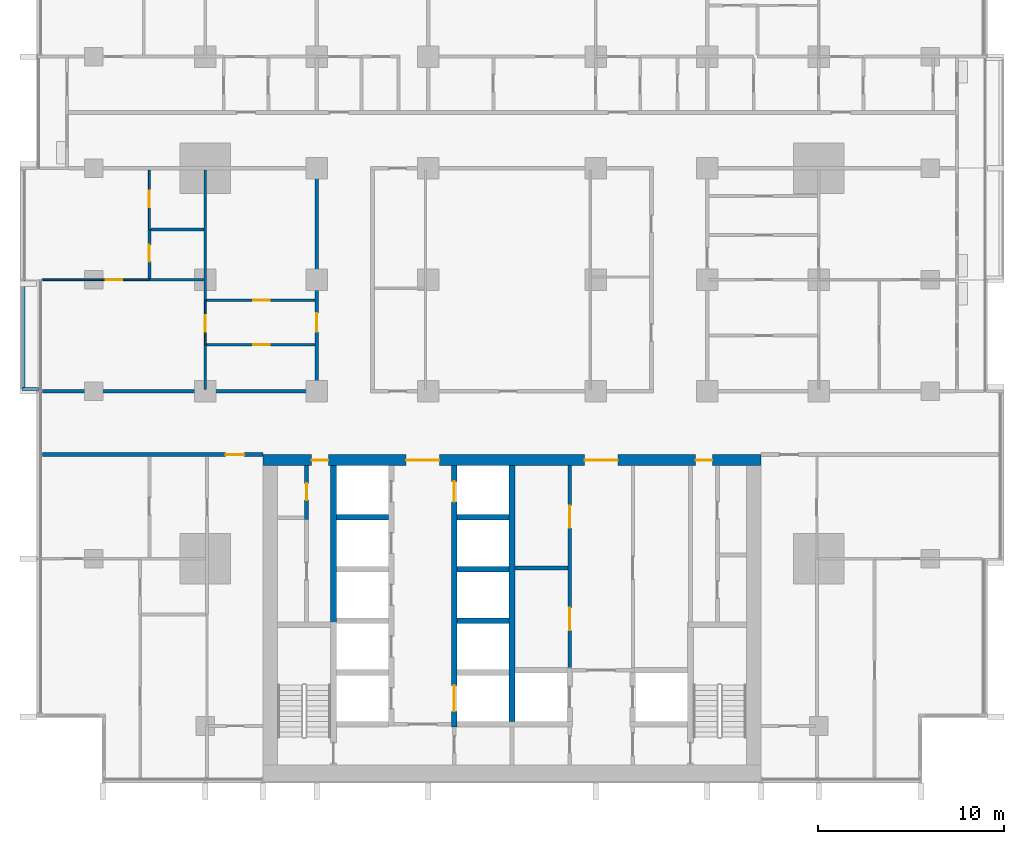
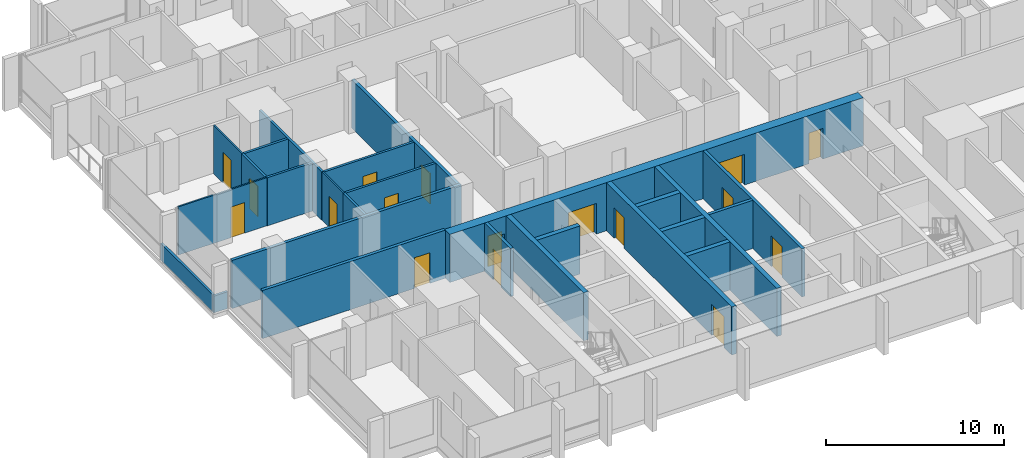
# One storey, part 8 of 18: 26 walls, 17 doors, 17 openings.
"""IFC4 building model written with IfcOpenShell, lengths in metres."""

from ifc_helpers import new_model, si_unit, direction, frame, frame_2d, origin, place, context, subcontext, project, spatial, rectangle, extrude, material, layer, layer_set, type_object, element, fill, save


model = new_model("IFC4")

# Units and contexts
model_context = context("Model", 3, precision=1e-05, world=origin(), true_north=direction((0.0, 1.0)))
body_context = subcontext(model_context, "Body", "Model", "MODEL_VIEW")
ifc_project = project(units=[si_unit("LENGTHUNIT", "METRE"), si_unit("AREAUNIT", "SQUARE_METRE"), si_unit("VOLUMEUNIT", "CUBIC_METRE"), si_unit("PLANEANGLEUNIT", "RADIAN"), si_unit("MASSUNIT", "GRAM", prefix="KILO")], contexts=[model_context])

# Site, building, storey
site_placement = place(None, origin())
site = spatial("IfcSite", under=ifc_project, at=site_placement, CompositionType="ELEMENT")
building_placement = place(site_placement, origin())
building = spatial("IfcBuilding", under=site, at=building_placement, Name="Finial Court Residences", CompositionType="ELEMENT")
storey_placement = place(building_placement, frame((0.0, 0.0, 109.89990234375)))
storey = spatial("IfcBuildingStorey", under=building, at=storey_placement, Name="L27", CompositionType="ELEMENT", Elevation=109.89990234375)

# Wall, openings, doors
ifc_material_1 = material(Name="Concrete C70/85", Category="concrete")
ifc_layer_1 = layer(ifc_material_1, 0.60009765625)
ifc_layer_set_1 = layer_set([ifc_layer_1], Name="Core outer wall 600 Concrete C70/85")
wall_type_1 = type_object("IfcWallType", Name="Core outer wall 600 Concrete C70/85", PredefinedType="SHEAR", material=ifc_layer_set_1)
wall_1_placement = place(storey_placement, frame((-13.39990234375, -8.199951171875, 0.0), z_axis=(0.0, 0.0, 1.0), x_axis=(1.0, 0.0, 0.0)))
wall_1 = element("IfcWall", 1, at=wall_1_placement, inside=storey, type_object=wall_type_1, Name="Core outer wall L27-02", PredefinedType="SHEAR", context=body_context, shape_type="SweptSolid", body=[
    extrude(rectangle(XDim=26.7998046875, YDim=0.60009765625, at=frame_2d((13.39990234375, 0.0))), origin(), (0.0, 0.0, 1.0), 3.300048828125),
])
opening_1_placement = place(wall_1_placement, frame((7.699951171875, 0.0, 0.0)))
opening_1 = element("IfcOpeningElement", 2, at=opening_1_placement, cuts=wall_1, Name="Opening L27-C04", PredefinedType="OPENING", context=body_context, shape_type="SweptSolid", body=[
    extrude(rectangle(XDim=1.800048828125, YDim=2.10009765625, at=frame_2d((0.89990234375, 1.050048828125))), frame((0.0, 0.31005859375, 0.0), z_axis=(0.0, -1.0, 0.0), x_axis=(1.0, 0.0, 0.0)), (0.0, 0.0, 1.0), 0.6201171875),
])
opening_2_placement = place(wall_1_placement, frame((17.300048828125, 0.0, 0.0)))
opening_2 = element("IfcOpeningElement", 3, at=opening_2_placement, cuts=wall_1, Name="Opening L27-C05", PredefinedType="OPENING", context=body_context, shape_type="SweptSolid", body=[
    extrude(rectangle(XDim=1.800048828125, YDim=2.10009765625, at=frame_2d((0.89990234375, 1.050048828125))), frame((0.0, 0.31005859375, 0.0), z_axis=(0.0, -1.0, 0.0), x_axis=(1.0, 0.0, 0.0)), (0.0, 0.0, 1.0), 0.6201171875),
])
opening_3_placement = place(wall_1_placement, frame((2.625, 0.0, 0.0)))
opening_3 = element("IfcOpeningElement", 4, at=opening_3_placement, cuts=wall_1, Name="Opening L27-C11", PredefinedType="OPENING", context=body_context, shape_type="SweptSolid", body=[
    extrude(rectangle(XDim=0.89990234375, YDim=2.10009765625, at=frame_2d((0.449951171875, 1.050048828125))), frame((0.0, 0.31005859375, 0.0), z_axis=(0.0, -1.0, 0.0), x_axis=(1.0, 0.0, 0.0)), (0.0, 0.0, 1.0), 0.6201171875),
])
opening_4_placement = place(wall_1_placement, frame((23.27490234375, 0.0, 0.0)))
opening_4 = element("IfcOpeningElement", 5, at=opening_4_placement, cuts=wall_1, Name="Opening L27-C12", PredefinedType="OPENING", context=body_context, shape_type="SweptSolid", body=[
    extrude(rectangle(XDim=0.89990234375, YDim=2.10009765625, at=frame_2d((0.449951171875, 1.050048828125))), frame((0.0, 0.31005859375, 0.0), z_axis=(0.0, -1.0, 0.0), x_axis=(1.0, 0.0, 0.0)), (0.0, 0.0, 1.0), 0.6201171875),
])
ifc_material_2 = material(Name="Steel fire door", Category="steel")
door_type_1 = type_object("IfcDoorType", Name="Lift lobby door 1800 x 2100 EI 60", OperationType="DOUBLE_DOOR_SINGLE_SWING", PredefinedType="DOOR", material=ifc_material_2)
door_1_placement = place(opening_1_placement, origin())
door_1 = element("IfcDoor", 6, at=door_1_placement, inside=storey, type_object=door_type_1, Name="Lift lobby door L27-C04", OperationType="DOUBLE_DOOR_SINGLE_SWING", OverallHeight=2.10009765625, OverallWidth=1.800048828125, PredefinedType="DOOR", context=body_context, shape_type="SweptSolid", body=[
    extrude(rectangle(XDim=1.800048828125, YDim=2.10009765625, at=frame_2d((0.89990234375, 1.050048828125))), frame((0.0, 0.02490234375, 0.0), z_axis=(0.0, -1.0, 0.0), x_axis=(1.0, 0.0, 0.0)), (0.0, 0.0, 1.0), 0.050048828125),
])
fill(opening_1, door_1)
door_2_placement = place(opening_2_placement, origin())
door_2 = element("IfcDoor", 7, at=door_2_placement, inside=storey, type_object=door_type_1, Name="Lift lobby door L27-C05", OperationType="DOUBLE_DOOR_SINGLE_SWING", OverallHeight=2.10009765625, OverallWidth=1.800048828125, PredefinedType="DOOR", context=body_context, shape_type="SweptSolid", body=[
    extrude(rectangle(XDim=1.800048828125, YDim=2.10009765625, at=frame_2d((0.89990234375, 1.050048828125))), frame((0.0, 0.02490234375, 0.0), z_axis=(0.0, -1.0, 0.0), x_axis=(1.0, 0.0, 0.0)), (0.0, 0.0, 1.0), 0.050048828125),
])
fill(opening_2, door_2)
door_type_2 = type_object("IfcDoorType", Name="Riser room door 900 x 2100 EI 90", OperationType="NOTDEFINED", PredefinedType="DOOR", material=ifc_material_2)
door_3_placement = place(opening_3_placement, origin())
door_3 = element("IfcDoor", 8, at=door_3_placement, inside=storey, type_object=door_type_2, Name="Riser room door L27-C11", OperationType="SINGLE_SWING_RIGHT", OverallHeight=2.10009765625, OverallWidth=0.89990234375, PredefinedType="DOOR", context=body_context, shape_type="SweptSolid", body=[
    extrude(rectangle(XDim=0.89990234375, YDim=2.10009765625, at=frame_2d((0.449951171875, 1.050048828125))), frame((0.0, 0.02490234375, 0.0), z_axis=(0.0, -1.0, 0.0), x_axis=(1.0, 0.0, 0.0)), (0.0, 0.0, 1.0), 0.050048828125),
])
fill(opening_3, door_3)
door_4_placement = place(opening_4_placement, origin())
door_4 = element("IfcDoor", 9, at=door_4_placement, inside=storey, type_object=door_type_2, Name="Riser room door L27-C12", OperationType="SINGLE_SWING_LEFT", OverallHeight=2.10009765625, OverallWidth=0.89990234375, PredefinedType="DOOR", context=body_context, shape_type="SweptSolid", body=[
    extrude(rectangle(XDim=0.89990234375, YDim=2.10009765625, at=frame_2d((0.449951171875, 1.050048828125))), frame((0.0, 0.02490234375, 0.0), z_axis=(0.0, -1.0, 0.0), x_axis=(1.0, 0.0, 0.0)), (0.0, 0.0, 1.0), 0.050048828125),
])
fill(opening_4, door_4)

# Wall, opening, door
ifc_material_3 = material(Name="Gypsum board")
ifc_layer_2 = layer(ifc_material_3, 0.02490234375)
ifc_material_4 = material(Name="Acoustic mineral wool in double frame")
ifc_layer_3 = layer(ifc_material_4, 0.14990234375)
ifc_layer_4 = layer(ifc_material_3, 0.02490234375)
ifc_layer_set_2 = layer_set([ifc_layer_2, ifc_layer_3, ifc_layer_4], Name="Corridor wall 200, 1 hour")
wall_type_2 = type_object("IfcWallType", Name="Corridor wall 200, 1 hour", PredefinedType="PARTITIONING", material=ifc_layer_set_2)
wall_2_placement = place(storey_placement, frame((-25.25, -7.89990234375, 0.0), z_axis=(0.0, 0.0, 1.0), x_axis=(1.0, 0.0, 0.0)))
wall_2 = element("IfcWall", 10, at=wall_2_placement, inside=storey, type_object=wall_type_2, Name="Partition L27-007", PredefinedType="PARTITIONING", context=body_context, shape_type="SweptSolid", body=[
    extrude(rectangle(XDim=11.85009765625, YDim=0.199951171875, at=frame_2d((5.925048828125, 0.0))), origin(), (0.0, 0.0, 1.0), 3.300048828125),
])
opening_5_placement = place(wall_2_placement, frame((9.85009765625, 0.0, 0.0)))
opening_5 = element("IfcOpeningElement", 11, at=opening_5_placement, cuts=wall_2, Name="Opening L27-D005", PredefinedType="OPENING", context=body_context, shape_type="SweptSolid", body=[
    extrude(rectangle(XDim=1.0, YDim=2.10009765625, at=frame_2d((0.5, 1.050048828125))), frame((0.0, 0.10986328125, 0.0), z_axis=(0.0, -1.0, 0.0), x_axis=(1.0, 0.0, 0.0)), (0.0, 0.0, 1.0), 0.219970703125),
])
ifc_material_5 = material(Name="Timber door leaf in hollow metal frame", Category="wood")
door_type_3 = type_object("IfcDoorType", Name="Fire door set 1000 x 2100, 30 minutes", OperationType="SINGLE_SWING_LEFT", PredefinedType="DOOR", material=ifc_material_5)
door_5_placement = place(opening_5_placement, origin())
door_5 = element("IfcDoor", 12, at=door_5_placement, inside=storey, type_object=door_type_3, Name="Door L27-D005", OperationType="SINGLE_SWING_RIGHT", OverallHeight=2.10009765625, OverallWidth=1.0, PredefinedType="DOOR", context=body_context, shape_type="SweptSolid", body=[
    extrude(rectangle(XDim=1.0, YDim=2.10009765625, at=frame_2d((0.5, 1.050048828125))), frame((0.0, 0.02490234375, 0.0), z_axis=(0.0, -1.0, 0.0), x_axis=(1.0, 0.0, 0.0)), (0.0, 0.0, 1.0), 0.050048828125),
])
fill(opening_5, door_5)

# Wall
wall_3_placement = place(storey_placement, frame((-25.25, -4.5, 0.0), z_axis=(0.0, 0.0, 1.0), x_axis=(1.0, 0.0, 0.0)))
element("IfcWall", 13, at=wall_3_placement, inside=storey, type_object=wall_type_2, Name="Partition L27-009", PredefinedType="PARTITIONING", context=body_context, shape_type="SweptSolid", body=[
    extrude(rectangle(XDim=14.85009765625, YDim=0.199951171875, at=frame_2d((7.425048828125, 0.0))), origin(), (0.0, 0.0, 1.0), 3.300048828125),
])

# Wall, opening, door
wall_4_placement = place(storey_placement, frame((-10.5, -4.39990234375, 0.0), z_axis=(0.0, 0.0, 1.0), x_axis=(0.0, 1.0, 0.0)))
wall_4 = element("IfcWall", 14, at=wall_4_placement, inside=storey, type_object=wall_type_2, Name="Partition L27-060", PredefinedType="PARTITIONING", context=body_context, shape_type="SweptSolid", body=[
    extrude(rectangle(XDim=11.7998046875, YDim=0.199951171875, at=frame_2d((5.89990234375, 0.0))), origin(), (0.0, 0.0, 1.0), 3.300048828125),
])
opening_6_placement = place(wall_4_placement, frame((3.10009765625, 0.0, 0.0)))
opening_6 = element("IfcOpeningElement", 15, at=opening_6_placement, cuts=wall_4, Name="Opening L27-D043", PredefinedType="OPENING", context=body_context, shape_type="SweptSolid", body=[
    extrude(rectangle(XDim=1.0, YDim=2.10009765625, at=frame_2d((0.5, 1.050048828125))), frame((0.0, 0.10986328125, 0.0), z_axis=(0.0, -1.0, 0.0), x_axis=(1.0, 0.0, 0.0)), (0.0, 0.0, 1.0), 0.219970703125),
])
door_6_placement = place(opening_6_placement, origin())
door_6 = element("IfcDoor", 16, at=door_6_placement, inside=storey, type_object=door_type_3, Name="Door L27-D043", OperationType="SINGLE_SWING_RIGHT", OverallHeight=2.10009765625, OverallWidth=1.0, PredefinedType="DOOR", context=body_context, shape_type="SweptSolid", body=[
    extrude(rectangle(XDim=1.0, YDim=2.10009765625, at=frame_2d((0.5, 1.050048828125))), frame((0.0, 0.02490234375, 0.0), z_axis=(0.0, -1.0, 0.0), x_axis=(1.0, 0.0, 0.0)), (0.0, 0.0, 1.0), 0.050048828125),
])
fill(opening_6, door_6)

ifc_layer_5 = layer(ifc_material_3, 0.012451171875)
ifc_material_6 = material(Name="Mineral wool in light-gauge frame")
ifc_layer_6 = layer(ifc_material_6, 0.074951171875)
ifc_layer_7 = layer(ifc_material_3, 0.012451171875)
ifc_layer_set_3 = layer_set([ifc_layer_5, ifc_layer_6, ifc_layer_7], Name="Gypsum board partition 100")
wall_type_3 = type_object("IfcWallType", Name="Gypsum board partition 100", PredefinedType="PARTITIONING", material=ifc_layer_set_3)
wall_5_placement = place(storey_placement, frame((-25.25, 1.5, 0.0), z_axis=(0.0, 0.0, 1.0), x_axis=(1.0, 0.0, 0.0)))
wall_5 = element("IfcWall", 17, at=wall_5_placement, inside=storey, type_object=wall_type_3, Name="Partition L27-016", PredefinedType="PARTITIONING", context=body_context, shape_type="SweptSolid", body=[
    extrude(rectangle(XDim=5.75, YDim=0.10009765625, at=frame_2d((2.875, 0.0))), origin(), (0.0, 0.0, 1.0), 3.300048828125),
])
opening_7_placement = place(wall_5_placement, frame((3.39990234375, 0.0, 0.0)))
opening_7 = element("IfcOpeningElement", 18, at=opening_7_placement, cuts=wall_5, Name="Opening L27-D012", PredefinedType="OPENING", context=body_context, shape_type="SweptSolid", body=[
    extrude(rectangle(XDim=0.89990234375, YDim=2.10009765625, at=frame_2d((0.449951171875, 1.050048828125))), frame((0.0, 0.06005859375, 0.0), z_axis=(0.0, -1.0, 0.0), x_axis=(1.0, 0.0, 0.0)), (0.0, 0.0, 1.0), 0.1201171875),
])
ifc_material_7 = material(Name="Timber door leaf in timber frame", Category="wood")
door_type_4 = type_object("IfcDoorType", Name="Door set 900 x 2100", OperationType="SINGLE_SWING_LEFT", PredefinedType="DOOR", material=ifc_material_7)
door_7_placement = place(opening_7_placement, origin())
door_7 = element("IfcDoor", 19, at=door_7_placement, inside=storey, type_object=door_type_4, Name="Door L27-D012", OperationType="SINGLE_SWING_LEFT", OverallHeight=2.10009765625, OverallWidth=0.89990234375, PredefinedType="DOOR", context=body_context, shape_type="SweptSolid", body=[
    extrude(rectangle(XDim=0.89990234375, YDim=2.10009765625, at=frame_2d((0.449951171875, 1.050048828125))), frame((0.0, 0.02490234375, 0.0), z_axis=(0.0, -1.0, 0.0), x_axis=(1.0, 0.0, 0.0)), (0.0, 0.0, 1.0), 0.050048828125),
])
fill(opening_7, door_7)

wall_6_placement = place(storey_placement, frame((-19.5, 4.199951171875, 0.0), z_axis=(0.0, 0.0, 1.0), x_axis=(0.0, 1.0, 0.0)))
wall_6 = element("IfcWall", 20, at=wall_6_placement, inside=storey, type_object=wall_type_3, Name="Partition L27-047", PredefinedType="PARTITIONING", context=body_context, shape_type="SweptSolid", body=[
    extrude(rectangle(XDim=3.199951171875, YDim=0.10009765625, at=frame_2d((1.60009765625, 0.0))), origin(), (0.0, 0.0, 1.0), 3.300048828125),
])
opening_8_placement = place(wall_6_placement, frame((1.199951171875, 0.0, 0.0)))
opening_8 = element("IfcOpeningElement", 21, at=opening_8_placement, cuts=wall_6, Name="Opening L27-D036", PredefinedType="OPENING", context=body_context, shape_type="SweptSolid", body=[
    extrude(rectangle(XDim=0.89990234375, YDim=2.10009765625, at=frame_2d((0.449951171875, 1.050048828125))), frame((0.0, 0.06005859375, 0.0), z_axis=(0.0, -1.0, 0.0), x_axis=(1.0, 0.0, 0.0)), (0.0, 0.0, 1.0), 0.1201171875),
])
door_8_placement = place(opening_8_placement, origin())
door_8 = element("IfcDoor", 22, at=door_8_placement, inside=storey, type_object=door_type_4, Name="Door L27-D036", OperationType="SINGLE_SWING_LEFT", OverallHeight=2.10009765625, OverallWidth=0.89990234375, PredefinedType="DOOR", context=body_context, shape_type="SweptSolid", body=[
    extrude(rectangle(XDim=0.89990234375, YDim=2.10009765625, at=frame_2d((0.449951171875, 1.050048828125))), frame((0.0, 0.02490234375, 0.0), z_axis=(0.0, -1.0, 0.0), x_axis=(1.0, 0.0, 0.0)), (0.0, 0.0, 1.0), 0.050048828125),
])
fill(opening_8, door_8)

wall_7_placement = place(storey_placement, frame((-16.5, -2.0, 0.0), z_axis=(0.0, 0.0, 1.0), x_axis=(0.0, 1.0, 0.0)))
wall_7 = element("IfcWall", 23, at=wall_7_placement, inside=storey, type_object=wall_type_3, Name="Partition L27-050", PredefinedType="PARTITIONING", context=body_context, shape_type="SweptSolid", body=[
    extrude(rectangle(XDim=2.39990234375, YDim=0.10009765625, at=frame_2d((1.199951171875, 0.0))), origin(), (0.0, 0.0, 1.0), 3.300048828125),
])
opening_9_placement = place(wall_7_placement, frame((0.699951171875, 0.0, 0.0)))
opening_9 = element("IfcOpeningElement", 24, at=opening_9_placement, cuts=wall_7, Name="Opening L27-D039", PredefinedType="OPENING", context=body_context, shape_type="SweptSolid", body=[
    extrude(rectangle(XDim=0.89990234375, YDim=2.10009765625, at=frame_2d((0.449951171875, 1.050048828125))), frame((0.0, 0.06005859375, 0.0), z_axis=(0.0, -1.0, 0.0), x_axis=(1.0, 0.0, 0.0)), (0.0, 0.0, 1.0), 0.1201171875),
])
door_9_placement = place(opening_9_placement, origin())
door_9 = element("IfcDoor", 25, at=door_9_placement, inside=storey, type_object=door_type_4, Name="Door L27-D039", OperationType="SINGLE_SWING_LEFT", OverallHeight=2.10009765625, OverallWidth=0.89990234375, PredefinedType="DOOR", context=body_context, shape_type="SweptSolid", body=[
    extrude(rectangle(XDim=0.89990234375, YDim=2.10009765625, at=frame_2d((0.449951171875, 1.050048828125))), frame((0.0, 0.02490234375, 0.0), z_axis=(0.0, -1.0, 0.0), x_axis=(1.0, 0.0, 0.0)), (0.0, 0.0, 1.0), 0.050048828125),
])
fill(opening_9, door_9)

ifc_material_8 = material(Name="Moisture-resistant gypsum board")
ifc_layer_8 = layer(ifc_material_8, 0.012451171875)
ifc_layer_9 = layer(ifc_material_6, 0.125)
ifc_layer_10 = layer(ifc_material_8, 0.012451171875)
ifc_layer_set_4 = layer_set([ifc_layer_8, ifc_layer_9, ifc_layer_10], Name="Gypsum board wet-area partition 150")
wall_type_4 = type_object("IfcWallType", Name="Gypsum board wet-area partition 150", PredefinedType="PARTITIONING", material=ifc_layer_set_4)
wall_8_placement = place(storey_placement, frame((-16.425048828125, -2.0, 0.0), z_axis=(0.0, 0.0, 1.0), x_axis=(1.0, 0.0, 0.0)))
wall_8 = element("IfcWall", 26, at=wall_8_placement, inside=storey, type_object=wall_type_4, Name="Partition L27-012", PredefinedType="PARTITIONING", context=body_context, shape_type="SweptSolid", body=[
    extrude(rectangle(XDim=5.824951171875, YDim=0.14990234375, at=frame_2d((2.91259765625, 0.0))), origin(), (0.0, 0.0, 1.0), 3.300048828125),
])
opening_10_placement = place(wall_8_placement, frame((2.5, 0.0, 0.0)))
opening_10 = element("IfcOpeningElement", 27, at=opening_10_placement, cuts=wall_8, Name="Opening L27-D009", PredefinedType="OPENING", context=body_context, shape_type="SweptSolid", body=[
    extrude(rectangle(XDim=0.89990234375, YDim=2.10009765625, at=frame_2d((0.449951171875, 1.050048828125))), frame((0.0, 0.0849609375, 0.0), z_axis=(0.0, -1.0, 0.0), x_axis=(1.0, 0.0, 0.0)), (0.0, 0.0, 1.0), 0.169921875),
])
door_10_placement = place(opening_10_placement, origin())
door_10 = element("IfcDoor", 28, at=door_10_placement, inside=storey, type_object=door_type_4, Name="Door L27-D009", OperationType="SINGLE_SWING_RIGHT", OverallHeight=2.10009765625, OverallWidth=0.89990234375, PredefinedType="DOOR", context=body_context, shape_type="SweptSolid", body=[
    extrude(rectangle(XDim=0.89990234375, YDim=2.10009765625, at=frame_2d((0.449951171875, 1.050048828125))), frame((0.0, 0.02490234375, 0.0), z_axis=(0.0, -1.0, 0.0), x_axis=(1.0, 0.0, 0.0)), (0.0, 0.0, 1.0), 0.050048828125),
])
fill(opening_10, door_10)

wall_9_placement = place(storey_placement, frame((-16.425048828125, 0.39990234375, 0.0), z_axis=(0.0, 0.0, 1.0), x_axis=(1.0, 0.0, 0.0)))
wall_9 = element("IfcWall", 29, at=wall_9_placement, inside=storey, type_object=wall_type_4, Name="Partition L27-014", PredefinedType="PARTITIONING", context=body_context, shape_type="SweptSolid", body=[
    extrude(rectangle(XDim=5.824951171875, YDim=0.14990234375, at=frame_2d((2.91259765625, 0.0))), origin(), (0.0, 0.0, 1.0), 3.300048828125),
])
opening_11_placement = place(wall_9_placement, frame((2.5, 0.0, 0.0)))
opening_11 = element("IfcOpeningElement", 30, at=opening_11_placement, cuts=wall_9, Name="Opening L27-D011", PredefinedType="OPENING", context=body_context, shape_type="SweptSolid", body=[
    extrude(rectangle(XDim=0.89990234375, YDim=2.10009765625, at=frame_2d((0.449951171875, 1.050048828125))), frame((0.0, 0.0849609375, 0.0), z_axis=(0.0, -1.0, 0.0), x_axis=(1.0, 0.0, 0.0)), (0.0, 0.0, 1.0), 0.169921875),
])
door_11_placement = place(opening_11_placement, origin())
door_11 = element("IfcDoor", 31, at=door_11_placement, inside=storey, type_object=door_type_4, Name="Door L27-D011", OperationType="SINGLE_SWING_LEFT", OverallHeight=2.10009765625, OverallWidth=0.89990234375, PredefinedType="DOOR", context=body_context, shape_type="SweptSolid", body=[
    extrude(rectangle(XDim=0.89990234375, YDim=2.10009765625, at=frame_2d((0.449951171875, 1.050048828125))), frame((0.0, 0.02490234375, 0.0), z_axis=(0.0, -1.0, 0.0), x_axis=(1.0, 0.0, 0.0)), (0.0, 0.0, 1.0), 0.050048828125),
])
fill(opening_11, door_11)

# Walls
wall_10_placement = place(storey_placement, frame((-19.5, 1.5, 0.0), z_axis=(0.0, 0.0, 1.0), x_axis=(1.0, 0.0, 0.0)))
element("IfcWall", 32, at=wall_10_placement, inside=storey, type_object=wall_type_4, Name="Partition L27-018", PredefinedType="PARTITIONING", context=body_context, shape_type="SweptSolid", body=[
    extrude(rectangle(XDim=2.925048828125, YDim=0.14990234375, at=frame_2d((1.46240234375, 0.0))), origin(), (0.0, 0.0, 1.0), 3.300048828125),
])
wall_11_placement = place(storey_placement, frame((-19.425048828125, 4.199951171875, 0.0), z_axis=(0.0, 0.0, 1.0), x_axis=(1.0, 0.0, 0.0)))
element("IfcWall", 33, at=wall_11_placement, inside=storey, type_object=wall_type_4, Name="Partition L27-022", PredefinedType="PARTITIONING", context=body_context, shape_type="SweptSolid", body=[
    extrude(rectangle(XDim=2.85009765625, YDim=0.14990234375, at=frame_2d((1.425048828125, 0.0))), origin(), (0.0, 0.0, 1.0), 3.300048828125),
])

# Wall, opening, door
wall_12_placement = place(storey_placement, frame((-19.5, 1.574951171875, 0.0), z_axis=(0.0, 0.0, 1.0), x_axis=(0.0, 1.0, 0.0)))
wall_12 = element("IfcWall", 34, at=wall_12_placement, inside=storey, type_object=wall_type_4, Name="Partition L27-049", PredefinedType="PARTITIONING", context=body_context, shape_type="SweptSolid", body=[
    extrude(rectangle(XDim=2.625, YDim=0.14990234375, at=frame_2d((1.3125, 0.0))), origin(), (0.0, 0.0, 1.0), 3.300048828125),
])
opening_12_placement = place(wall_12_placement, frame((0.89990234375, 0.0, 0.0)))
opening_12 = element("IfcOpeningElement", 35, at=opening_12_placement, cuts=wall_12, Name="Opening L27-D038", PredefinedType="OPENING", context=body_context, shape_type="SweptSolid", body=[
    extrude(rectangle(XDim=0.89990234375, YDim=2.10009765625, at=frame_2d((0.449951171875, 1.050048828125))), frame((0.0, 0.0849609375, 0.0), z_axis=(0.0, -1.0, 0.0), x_axis=(1.0, 0.0, 0.0)), (0.0, 0.0, 1.0), 0.169921875),
])
door_12_placement = place(opening_12_placement, origin())
door_12 = element("IfcDoor", 36, at=door_12_placement, inside=storey, type_object=door_type_4, Name="Door L27-D038", OperationType="SINGLE_SWING_RIGHT", OverallHeight=2.10009765625, OverallWidth=0.89990234375, PredefinedType="DOOR", context=body_context, shape_type="SweptSolid", body=[
    extrude(rectangle(XDim=0.89990234375, YDim=2.10009765625, at=frame_2d((0.449951171875, 1.050048828125))), frame((0.0, 0.02490234375, 0.0), z_axis=(0.0, -1.0, 0.0), x_axis=(1.0, 0.0, 0.0)), (0.0, 0.0, 1.0), 0.050048828125),
])
fill(opening_12, door_12)

# Walls
wall_13_placement = place(storey_placement, frame((-16.5, -4.39990234375, 0.0), z_axis=(0.0, 0.0, 1.0), x_axis=(0.0, 1.0, 0.0)))
element("IfcWall", 37, at=wall_13_placement, inside=storey, type_object=wall_type_4, Name="Partition L27-052", PredefinedType="PARTITIONING", context=body_context, shape_type="SweptSolid", body=[
    extrude(rectangle(XDim=2.39990234375, YDim=0.14990234375, at=frame_2d((1.199951171875, 0.0))), origin(), (0.0, 0.0, 1.0), 3.300048828125),
])
wall_14_placement = place(storey_placement, frame((-16.5, 0.39990234375, 0.0), z_axis=(0.0, 0.0, 1.0), x_axis=(0.0, 1.0, 0.0)))
element("IfcWall", 38, at=wall_14_placement, inside=storey, type_object=wall_type_4, Name="Partition L27-053", PredefinedType="PARTITIONING", context=body_context, shape_type="SweptSolid", body=[
    extrude(rectangle(XDim=7.0, YDim=0.14990234375, at=frame_2d((3.5, 0.0))), origin(), (0.0, 0.0, 1.0), 3.300048828125),
])
ifc_material_9 = material(Name="Concrete C35/45", Category="concrete")
ifc_layer_11 = layer(ifc_material_9, 0.14990234375)
ifc_layer_set_5 = layer_set([ifc_layer_11], Name="Ledge parapet, Concrete C35/45 150")
wall_type_5 = type_object("IfcWallType", Name="Ledge parapet, Concrete C35/45 150", PredefinedType="PARAPET", material=ifc_layer_set_5)
wall_15_placement = place(storey_placement, frame((-25.4599609375, -4.375, 0.0), z_axis=(0.0, 0.0, 1.0), x_axis=(-1.0, 0.0, 0.0)))
element("IfcWall", 39, at=wall_15_placement, inside=storey, type_object=wall_type_5, Name="E-L27-LED3-P1", PredefinedType="PARAPET", context=body_context, shape_type="SweptSolid", body=[
    extrude(rectangle(XDim=0.89013671875, YDim=0.14990234375, at=frame_2d((0.445068359375, 0.0))), origin(), (0.0, 0.0, 1.0), 1.150146484375),
])
wall_16_placement = place(storey_placement, frame((-26.27490234375, -4.300048828125, 0.0), z_axis=(0.0, 0.0, 1.0), x_axis=(0.0, 1.0, 0.0)))
element("IfcWall", 40, at=wall_16_placement, inside=storey, type_object=wall_type_5, Name="E-L27-LED3-P2", PredefinedType="PARAPET", context=body_context, shape_type="SweptSolid", body=[
    extrude(rectangle(XDim=5.840087890625, YDim=0.14990234375, at=frame_2d((2.919921875, 0.0))), origin(), (0.0, 0.0, 1.0), 1.150146484375),
])
ifc_layer_12 = layer(ifc_material_1, 0.300048828125)
ifc_layer_set_6 = layer_set([ifc_layer_12], Name="Lift shaft and stair wall 300 Concrete C70/85")
wall_type_6 = type_object("IfcWallType", Name="Lift shaft and stair wall 300 Concrete C70/85", PredefinedType="SHEAR", material=ifc_layer_set_6)
for number, where, z_axis, x_axis, name in (
    (41, (-2.949951171875, -16.840087890625, 0.0), (0.0, 0.0, 1.0), (1.0, 0.0, 0.0), "Core wall L27-13"),
    (42, (-2.949951171875, -14.06005859375, 0.0), (0.0, 0.0, 1.0), (1.0, 0.0, 0.0), "Core wall L27-15"),
    (43, (-9.449951171875, -11.280029296875, 0.0), (0.0, 0.0, 1.0), (1.0, 0.0, 0.0), "Core wall L27-19"),
    (44, (-2.949951171875, -11.280029296875, 0.0), (0.0, 0.0, 1.0), (1.0, 0.0, 0.0), "Core wall L27-20"),
):
    element("IfcWall", number, at=place(storey_placement, frame(where, z_axis=z_axis, x_axis=x_axis)), inside=storey, type_object=wall_type_6, Name=name, PredefinedType="SHEAR", context=body_context, shape_type="SweptSolid", body=[
        extrude(rectangle(XDim=2.800048828125, YDim=0.300048828125, at=frame_2d((1.39990234375, 0.0))), origin(), (0.0, 0.0, 1.0), 3.300048828125),
    ])
wall_17_placement = place(storey_placement, frame((-9.60009765625, -17.199951171875, 0.0), z_axis=(0.0, 0.0, 1.0), x_axis=(0.0, 1.0, 0.0)))
element("IfcWall", 45, at=wall_17_placement, inside=storey, type_object=wall_type_6, Name="Core wall L27-24", PredefinedType="SHEAR", context=body_context, shape_type="SweptSolid", body=[
    extrude(rectangle(XDim=8.699951171875, YDim=0.300048828125, at=frame_2d((4.35009765625, 0.0))), origin(), (0.0, 0.0, 1.0), 3.300048828125),
])

# Wall, openings, doors
wall_18_placement = place(storey_placement, frame((-3.10009765625, -22.550048828125, 0.0), z_axis=(0.0, 0.0, 1.0), x_axis=(0.0, 1.0, 0.0)))
wall_18 = element("IfcWall", 46, at=wall_18_placement, inside=storey, type_object=wall_type_6, Name="Core wall L27-27", PredefinedType="SHEAR", context=body_context, shape_type="SweptSolid", body=[
    extrude(rectangle(XDim=14.050048828125, YDim=0.300048828125, at=frame_2d((7.02490234375, 0.0))), origin(), (0.0, 0.0, 1.0), 3.300048828125),
])
opening_13_placement = place(wall_18_placement, frame((12.110107421875, 0.0, 0.0)))
opening_13 = element("IfcOpeningElement", 47, at=opening_13_placement, cuts=wall_18, Name="Opening L27-LD08", PredefinedType="OPENING", context=body_context, shape_type="SweptSolid", body=[
    extrude(rectangle(XDim=1.10009765625, YDim=2.10009765625, at=frame_2d((0.550048828125, 1.050048828125))), frame((0.0, 0.159912109375, 0.0), z_axis=(0.0, -1.0, 0.0), x_axis=(1.0, 0.0, 0.0)), (0.0, 0.0, 1.0), 0.320068359375),
])
opening_14_placement = place(wall_18_placement, frame((0.840087890625, 0.0, 0.0)))
opening_14 = element("IfcOpeningElement", 48, at=opening_14_placement, cuts=wall_18, Name="Opening L27-LD09", PredefinedType="OPENING", context=body_context, shape_type="SweptSolid", body=[
    extrude(rectangle(XDim=1.39990234375, YDim=2.10009765625, at=frame_2d((0.699951171875, 1.050048828125))), frame((0.0, 0.159912109375, 0.0), z_axis=(0.0, -1.0, 0.0), x_axis=(1.0, 0.0, 0.0)), (0.0, 0.0, 1.0), 0.320068359375),
])
ifc_material_10 = material(Name="Stainless steel lift door", Category="steel")
door_type_5 = type_object("IfcDoorType", Name="Lift landing door 1100 x 2100 EI 90", OperationType="DOUBLE_DOOR_SLIDING", PredefinedType="DOOR", material=ifc_material_10)
door_13_placement = place(opening_13_placement, origin())
door_13 = element("IfcDoor", 49, at=door_13_placement, inside=storey, type_object=door_type_5, Name="Lift landing door LR6 L27", OperationType="DOUBLE_DOOR_SLIDING", OverallHeight=2.10009765625, OverallWidth=1.10009765625, PredefinedType="DOOR", context=body_context, shape_type="SweptSolid", body=[
    extrude(rectangle(XDim=1.10009765625, YDim=2.10009765625, at=frame_2d((0.550048828125, 1.050048828125))), frame((0.0, 0.02490234375, 0.0), z_axis=(0.0, -1.0, 0.0), x_axis=(1.0, 0.0, 0.0)), (0.0, 0.0, 1.0), 0.050048828125),
])
fill(opening_13, door_13)
door_type_6 = type_object("IfcDoorType", Name="Lift landing door 1400 x 2100 EI 90", OperationType="DOUBLE_DOOR_SLIDING", PredefinedType="DOOR", material=ifc_material_10)
door_14_placement = place(opening_14_placement, origin())
door_14 = element("IfcDoor", 50, at=door_14_placement, inside=storey, type_object=door_type_6, Name="Lift landing door SV1 L27", OperationType="DOUBLE_DOOR_SLIDING", OverallHeight=2.10009765625, OverallWidth=1.39990234375, PredefinedType="DOOR", context=body_context, shape_type="SweptSolid", body=[
    extrude(rectangle(XDim=1.39990234375, YDim=2.10009765625, at=frame_2d((0.699951171875, 1.050048828125))), frame((0.0, 0.02490234375, 0.0), z_axis=(0.0, -1.0, 0.0), x_axis=(1.0, 0.0, 0.0)), (0.0, 0.0, 1.0), 0.050048828125),
])
fill(opening_14, door_14)

# Walls
wall_19_placement = place(storey_placement, frame((0.0, -22.25, 0.0), z_axis=(0.0, 0.0, 1.0), x_axis=(0.0, 1.0, 0.0)))
element("IfcWall", 51, at=wall_19_placement, inside=storey, type_object=wall_type_6, Name="Core wall L27-29", PredefinedType="SHEAR", context=body_context, shape_type="SweptSolid", body=[
    extrude(rectangle(XDim=13.75, YDim=0.300048828125, at=frame_2d((6.875, 0.0))), origin(), (0.0, 0.0, 1.0), 3.300048828125),
])
ifc_material_11 = material(Name="Fire-rated gypsum board partition")
ifc_layer_13 = layer(ifc_material_11, 0.199951171875)
ifc_layer_set_7 = layer_set([ifc_layer_13], Name="Riser room wall 200 EI 120")
wall_type_7 = type_object("IfcWallType", Name="Riser room wall 200 EI 120", PredefinedType="PARTITIONING", material=ifc_layer_set_7)
wall_20_placement = place(storey_placement, frame((0.14990234375, -14.0, 0.0), z_axis=(0.0, 0.0, 1.0), x_axis=(1.0, 0.0, 0.0)))
element("IfcWall", 52, at=wall_20_placement, inside=storey, type_object=wall_type_7, Name="Core partition L27-16", PredefinedType="PARTITIONING", context=body_context, shape_type="SweptSolid", body=[
    extrude(rectangle(XDim=2.85009765625, YDim=0.199951171875, at=frame_2d((1.425048828125, 0.0))), origin(), (0.0, 0.0, 1.0), 3.300048828125),
])

# Wall, opening, door
wall_21_placement = place(storey_placement, frame((-11.050048828125, -11.39990234375, 0.0), z_axis=(0.0, 0.0, 1.0), x_axis=(0.0, 1.0, 0.0)))
wall_21 = element("IfcWall", 53, at=wall_21_placement, inside=storey, type_object=wall_type_7, Name="Core partition L27-22", PredefinedType="PARTITIONING", context=body_context, shape_type="SweptSolid", body=[
    extrude(rectangle(XDim=2.89990234375, YDim=0.199951171875, at=frame_2d((1.449951171875, 0.0))), origin(), (0.0, 0.0, 1.0), 3.300048828125),
])
opening_15_placement = place(wall_21_placement, frame((1.050048828125, 0.0, 0.0)))
opening_15 = element("IfcOpeningElement", 54, at=opening_15_placement, cuts=wall_21, Name="Opening L27-C07", PredefinedType="OPENING", context=body_context, shape_type="SweptSolid", body=[
    extrude(rectangle(XDim=0.89990234375, YDim=2.10009765625, at=frame_2d((0.449951171875, 1.050048828125))), frame((0.0, 0.10986328125, 0.0), z_axis=(0.0, -1.0, 0.0), x_axis=(1.0, 0.0, 0.0)), (0.0, 0.0, 1.0), 0.219970703125),
])
door_15_placement = place(opening_15_placement, origin())
door_15 = element("IfcDoor", 55, at=door_15_placement, inside=storey, type_object=door_type_2, Name="Riser room door L27-C07", OperationType="SINGLE_SWING_LEFT", OverallHeight=2.10009765625, OverallWidth=0.89990234375, PredefinedType="DOOR", context=body_context, shape_type="SweptSolid", body=[
    extrude(rectangle(XDim=0.89990234375, YDim=2.10009765625, at=frame_2d((0.449951171875, 1.050048828125))), frame((0.0, 0.02490234375, 0.0), z_axis=(0.0, -1.0, 0.0), x_axis=(1.0, 0.0, 0.0)), (0.0, 0.0, 1.0), 0.050048828125),
])
fill(opening_15, door_15)

# Wall, openings, doors
wall_22_placement = place(storey_placement, frame((3.10009765625, -19.60009765625, 0.0), z_axis=(0.0, 0.0, 1.0), x_axis=(0.0, 1.0, 0.0)))
wall_22 = element("IfcWall", 56, at=wall_22_placement, inside=storey, type_object=wall_type_7, Name="Core partition L27-32", PredefinedType="PARTITIONING", context=body_context, shape_type="SweptSolid", body=[
    extrude(rectangle(XDim=11.10009765625, YDim=0.199951171875, at=frame_2d((5.550048828125, 0.0))), origin(), (0.0, 0.0, 1.0), 3.300048828125),
])
opening_16_placement = place(wall_22_placement, frame((2.25, 0.0, 0.0)))
opening_16 = element("IfcOpeningElement", 57, at=opening_16_placement, cuts=wall_22, Name="Opening L27-C09", PredefinedType="OPENING", context=body_context, shape_type="SweptSolid", body=[
    extrude(rectangle(XDim=1.199951171875, YDim=2.10009765625, at=frame_2d((0.60009765625, 1.050048828125))), frame((0.0, 0.10986328125, 0.0), z_axis=(0.0, -1.0, 0.0), x_axis=(1.0, 0.0, 0.0)), (0.0, 0.0, 1.0), 0.219970703125),
])
opening_17_placement = place(wall_22_placement, frame((7.75, 0.0, 0.0)))
opening_17 = element("IfcOpeningElement", 58, at=opening_17_placement, cuts=wall_22, Name="Opening L27-C10", PredefinedType="OPENING", context=body_context, shape_type="SweptSolid", body=[
    extrude(rectangle(XDim=1.199951171875, YDim=2.10009765625, at=frame_2d((0.60009765625, 1.050048828125))), frame((0.0, 0.10986328125, 0.0), z_axis=(0.0, -1.0, 0.0), x_axis=(1.0, 0.0, 0.0)), (0.0, 0.0, 1.0), 0.219970703125),
])
door_type_7 = type_object("IfcDoorType", Name="Riser room door 1200 x 2100 EI 90", OperationType="NOTDEFINED", PredefinedType="DOOR", material=ifc_material_2)
door_16_placement = place(opening_16_placement, origin())
door_16 = element("IfcDoor", 59, at=door_16_placement, inside=storey, type_object=door_type_7, Name="Riser room door L27-C09", OperationType="SINGLE_SWING_LEFT", OverallHeight=2.10009765625, OverallWidth=1.199951171875, PredefinedType="DOOR", context=body_context, shape_type="SweptSolid", body=[
    extrude(rectangle(XDim=1.199951171875, YDim=2.10009765625, at=frame_2d((0.60009765625, 1.050048828125))), frame((0.0, 0.02490234375, 0.0), z_axis=(0.0, -1.0, 0.0), x_axis=(1.0, 0.0, 0.0)), (0.0, 0.0, 1.0), 0.050048828125),
])
fill(opening_16, door_16)
door_17_placement = place(opening_17_placement, origin())
door_17 = element("IfcDoor", 60, at=door_17_placement, inside=storey, type_object=door_type_7, Name="Riser room door L27-C10", OperationType="SINGLE_SWING_LEFT", OverallHeight=2.10009765625, OverallWidth=1.199951171875, PredefinedType="DOOR", context=body_context, shape_type="SweptSolid", body=[
    extrude(rectangle(XDim=1.199951171875, YDim=2.10009765625, at=frame_2d((0.60009765625, 1.050048828125))), frame((0.0, 0.02490234375, 0.0), z_axis=(0.0, -1.0, 0.0), x_axis=(1.0, 0.0, 0.0)), (0.0, 0.0, 1.0), 0.050048828125),
])
fill(opening_17, door_17)

save(model, "model.ifc")
